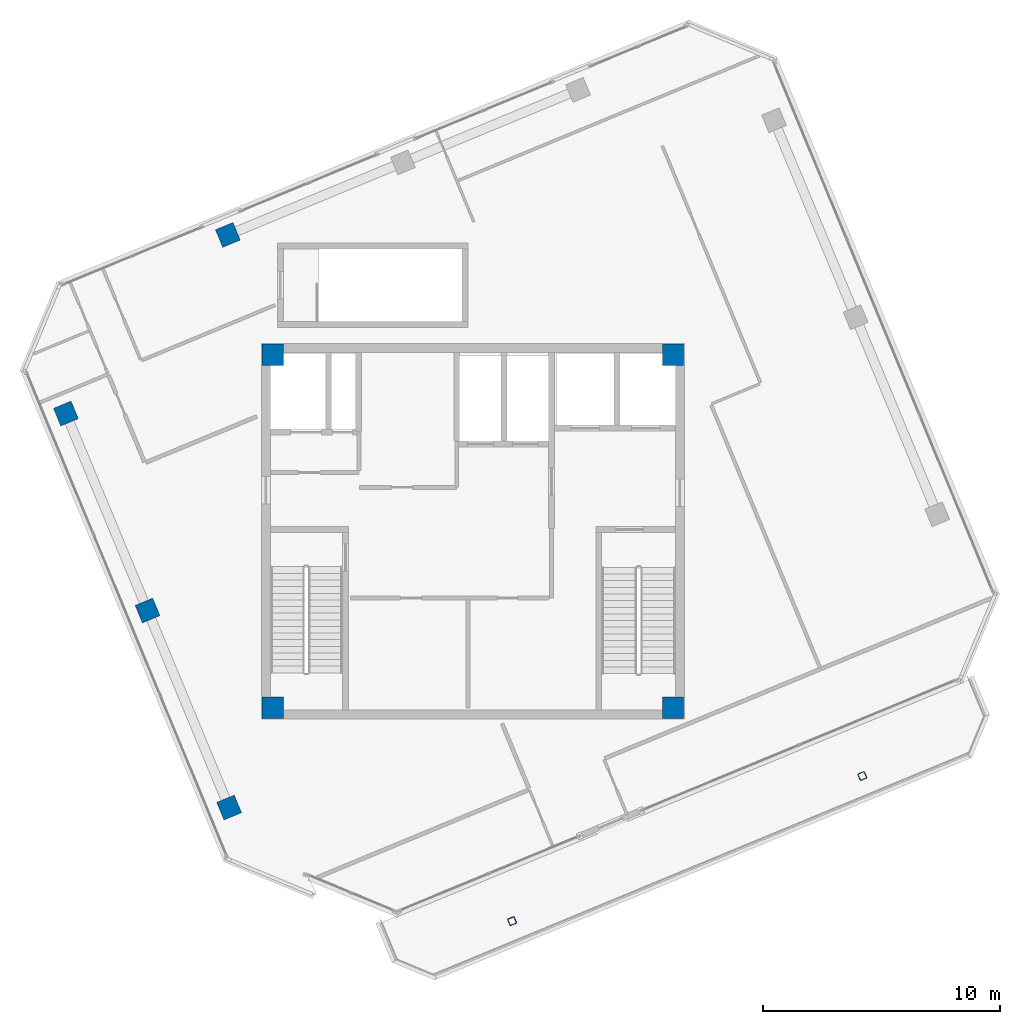
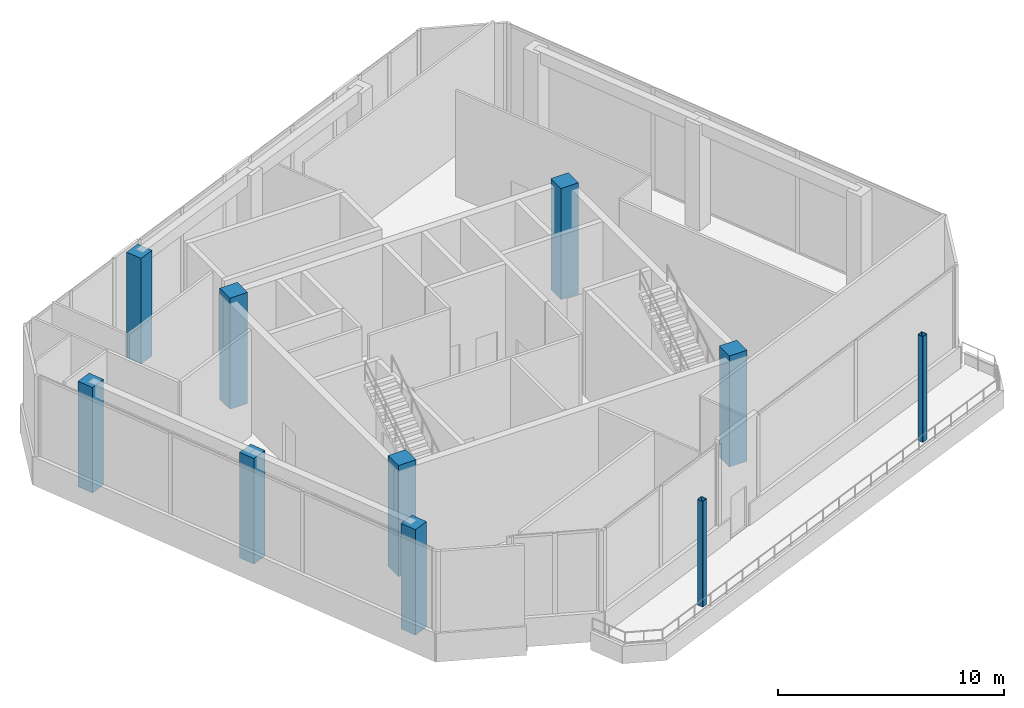
# One storey, part 1 of 16: 10 columns.
"""IFC4 building model written with IfcOpenShell, lengths in metres."""

from ifc_helpers import new_model, si_unit, direction, frame, origin, origin_2d, place, context, subcontext, project, spatial, rectangle, hollow_rectangle, extrude, source, transform, mapped, material, material_profile, profile_set, type_object, element, save


model = new_model("IFC4")

# Units and contexts
model_context = context("Model", 3, precision=1e-05, world=origin(), true_north=direction((0.0, 1.0)))
body_context = subcontext(model_context, "Body", "Model", "MODEL_VIEW")
ifc_project = project(units=[si_unit("LENGTHUNIT", "METRE"), si_unit("AREAUNIT", "SQUARE_METRE"), si_unit("VOLUMEUNIT", "CUBIC_METRE"), si_unit("PLANEANGLEUNIT", "RADIAN"), si_unit("MASSUNIT", "GRAM", prefix="KILO")], contexts=[model_context])

# Site, building, storey
site_placement = place(None, origin())
site = spatial("IfcSite", under=ifc_project, at=site_placement, CompositionType="ELEMENT")
building_placement = place(site_placement, origin())
building = spatial("IfcBuilding", under=site, at=building_placement, Name="Torre Montelarca", CompositionType="ELEMENT")
storey_placement = place(building_placement, frame((0.0, 0.0, 360.0)))
storey = spatial("IfcBuildingStorey", under=building, at=storey_placement, Name="L81", CompositionType="ELEMENT", Elevation=360.0)

# Columns
ifc_material_1 = material(Name="Concrete C55/67", Category="concrete")
ifc_material_profile_1 = material_profile(ifc_material_1, rectangle(XDim=0.89990234375, YDim=0.89990234375, at=origin_2d()), Name="RC900X900", Category="concrete")
ifc_profile_set_1 = profile_set([ifc_material_profile_1], Name="Concrete C55/67")
column_type_1 = type_object("IfcColumnType", Name="COL-RC900", PredefinedType="COLUMN", material=ifc_profile_set_1)
shared_shape_1 = source(origin(), body_context, "Body", "SweptSolid", [
    extrude(rectangle(XDim=0.89990234375, YDim=0.89990234375, at=origin_2d()), origin(), (0.0, 0.0, 1.0), 5.99853515625),
])
for number, where, z_axis, x_axis, name in (
    (1, (9.550048828125, 24.550048828125, 0.000732421875), (0.0, 0.0, 1.0), (1.0, 0.0, 0.0), "L81 Plumb Core Corner Column 2D"),
    (2, (26.449951171875, 24.550048828125, 0.000732421875), (0.0, 0.0, 1.0), (1.0, 0.0, 0.0), "L81 Plumb Core Corner Column 4D"),
    (3, (9.550048828125, 39.449951171875, 0.000732421875), (0.0, 0.0, 1.0), (1.0, 0.0, 0.0), "L81 Plumb Core Corner Column 2F"),
    (4, (26.449951171875, 39.449951171875, 0.000732421875), (0.0, 0.0, 1.0), (1.0, 0.0, 0.0), "L81 Plumb Core Corner Column 4F"),
):
    element("IfcColumn", number, at=place(storey_placement, frame(where, z_axis=z_axis, x_axis=x_axis)), inside=storey, type_object=column_type_1, Name=name, PredefinedType="COLUMN", context=body_context, shape_type="MappedRepresentation", body=[
        mapped(shared_shape_1, transform((0.0, 0.0, 0.0), scale=1.0)),
    ])
ifc_material_2 = material(Name="Concrete C40/50", Category="concrete")
ifc_material_profile_2 = material_profile(ifc_material_2, rectangle(XDim=0.800048828125, YDim=0.800048828125, at=origin_2d()), Name="RC800X800", Category="concrete")
ifc_profile_set_2 = profile_set([ifc_material_profile_2], Name="Concrete C40/50")
column_type_2 = type_object("IfcColumnType", Name="COL-RC800", PredefinedType="COLUMN", material=ifc_profile_set_2)
shared_shape_2 = source(origin(), body_context, "Body", "SweptSolid", [
    extrude(rectangle(XDim=0.800048828125, YDim=0.800048828125, at=origin_2d()), origin(), (0.0, 0.0, 1.0), 5.69921875),
])
for number, where, z_axis, x_axis, name in (
    (5, (0.82568359375, 36.96630859375, 0.000732421875), (0.0, 0.0, 1.0), (-0.382683432365, 0.923879532511, 0.0), "L81 Pavilion Column 2/CS"),
    (6, (4.27001953125, 28.6513671875, 0.000732421875), (0.0, 0.0, 1.0), (-0.382683432365, 0.923879532511, 0.0), "L81 Pavilion Column 3/CS"),
    (7, (7.714111328125, 20.33642578125, 0.000732421875), (0.0, 0.0, 1.0), (-0.382683432365, 0.923879532511, 0.0), "L81 Pavilion Column 4/CS"),
    (8, (7.66064453125, 44.505859375, 0.000732421875), (0.0, 0.0, 1.0), (-0.382683432365, 0.923879532511, 0.0), "L81 Pavilion Column 1W/D"),
):
    element("IfcColumn", number, at=place(storey_placement, frame(where, z_axis=z_axis, x_axis=x_axis)), inside=storey, type_object=column_type_2, Name=name, PredefinedType="COLUMN", context=body_context, shape_type="MappedRepresentation", body=[
        mapped(shared_shape_2, transform((0.0, 0.0, 0.0), scale=1.0)),
    ])
ifc_material_3 = material(Name="Steel ASTM A500 Grade C", Category="steel")
ifc_material_profile_3 = material_profile(ifc_material_3, hollow_rectangle(XDim=0.3046875, YDim=0.3046875, WallThickness=0.015869140625, InnerFilletRadius=0.015869140625, OuterFilletRadius=0.03173828125, at=origin_2d()), Name="HSS305X305X15.9", Category="steel")
ifc_profile_set_3 = profile_set([ifc_material_profile_3], Name="Steel ASTM A500 Grade C")
column_type_3 = type_object("IfcColumnType", Name="COL-POST-HSS-EXT", PredefinedType="USERDEFINED", material=ifc_profile_set_3)
shared_shape_3 = source(origin(), body_context, "Body", "SweptSolid", [
    extrude(hollow_rectangle(XDim=0.3046875, YDim=0.3046875, WallThickness=0.015869140625, InnerFilletRadius=0.015869140625, OuterFilletRadius=0.03173828125, at=origin_2d()), origin(), (0.0, 0.0, 1.0), 5.69921875),
])
for number, where, z_axis, x_axis, name in (
    (9, (19.657958984375, 15.542236328125, 0.000732421875), (0.0, 0.0, 1.0), (-0.382683432365, 0.923879532511, 0.0), "L81 Observation Canopy Post 5/D"),
    (10, (34.43994140625, 21.665283203125, 0.000732421875), (0.0, 0.0, 1.0), (-0.382683432365, 0.923879532511, 0.0), "L81 Observation Canopy Post 5/F"),
):
    element("IfcColumn", number, at=place(storey_placement, frame(where, z_axis=z_axis, x_axis=x_axis)), inside=storey, type_object=column_type_3, Name=name, ObjectType="POST", PredefinedType="USERDEFINED", context=body_context, shape_type="MappedRepresentation", body=[
        mapped(shared_shape_3, transform((0.0, 0.0, 0.0), scale=1.0)),
    ])

save(model, "model.ifc")
